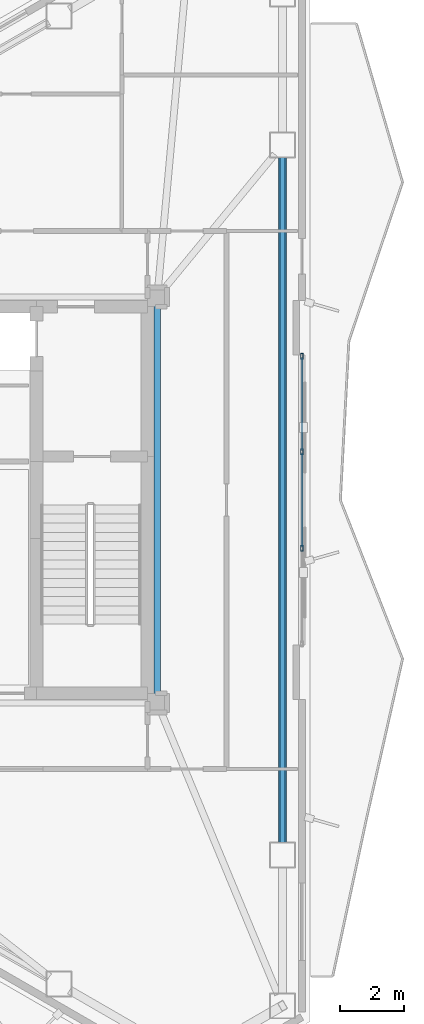
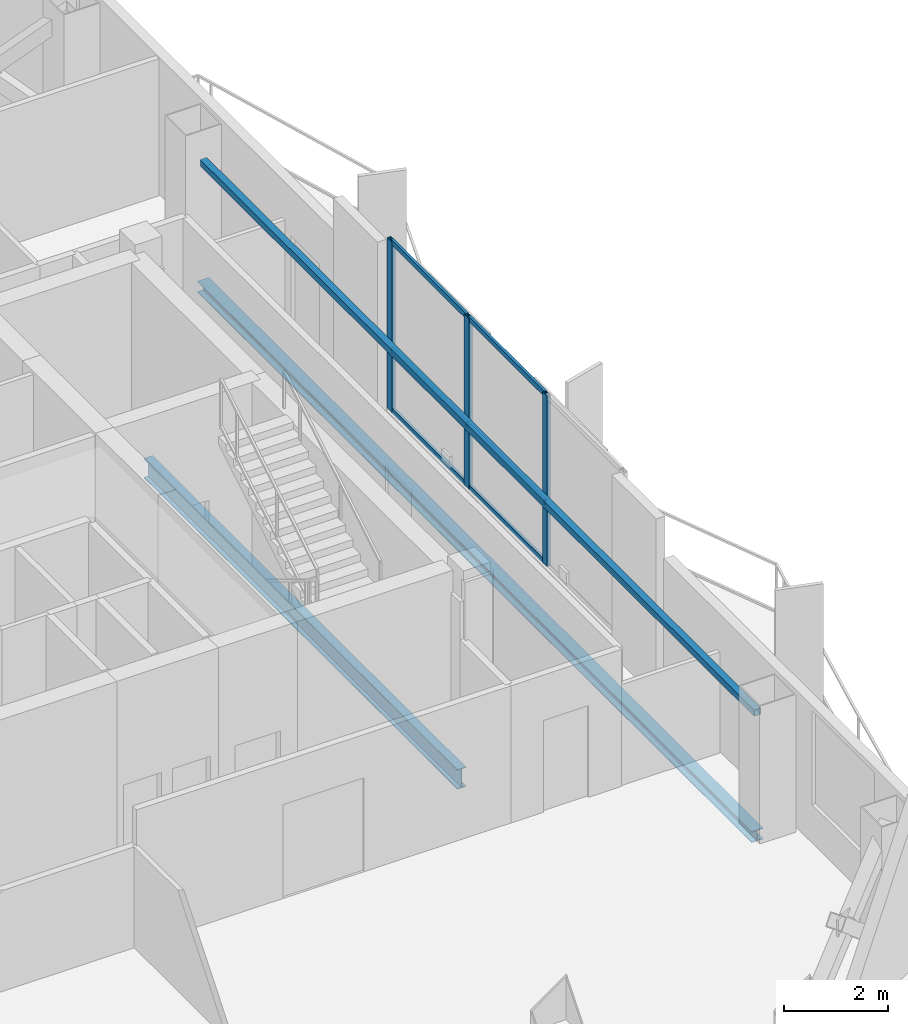
# One storey, part 8 of 15: 9 members, 3 beams, 1 element without a shape of its own.
"""IFC4 building model written with IfcOpenShell, lengths in metres."""

from ifc_helpers import new_model, si_unit, direction, frame, origin, origin_2d, place, context, subcontext, project, spatial, hollow_rectangle, i_section, extrude, material, layer, layer_set, material_profile, profile_set, type_object, element, aggregate, save


model = new_model("IFC4")

# Units and contexts
model_context = context("Model", 3, precision=1e-05, world=origin(), true_north=direction((0.0, 1.0)))
body_context = subcontext(model_context, "Body", "Model", "MODEL_VIEW")
ifc_project = project(units=[si_unit("LENGTHUNIT", "METRE"), si_unit("AREAUNIT", "SQUARE_METRE"), si_unit("VOLUMEUNIT", "CUBIC_METRE"), si_unit("PLANEANGLEUNIT", "RADIAN"), si_unit("MASSUNIT", "GRAM", prefix="KILO")], contexts=[model_context])

# Site, building, storey
site_placement = place(None, origin())
site = spatial("IfcSite", under=ifc_project, at=site_placement, CompositionType="ELEMENT")
building_placement = place(site_placement, origin())
building = spatial("IfcBuilding", under=site, at=building_placement, Name="Mersakhor Tower and Convention Hall", CompositionType="ELEMENT")
storey_placement = place(building_placement, frame((0.0, 0.0, 218.39990234375)))
storey = spatial("IfcBuildingStorey", under=building, at=storey_placement, Name="L61", CompositionType="ELEMENT", Elevation=218.39990234375)

# Beams
ifc_material_1 = material(Name="Steel S355", Category="steel")
ifc_material_profile_1 = material_profile(ifc_material_1, i_section(OverallWidth=0.19140625, OverallDepth=0.4599609375, WebThickness=0.010009765625, FlangeThickness=0.01611328125, at=origin_2d()), Name="UB 457x191x82")
ifc_profile_set_1 = profile_set([ifc_material_profile_1], Name="Steel S355")
beam_type_1 = type_object("IfcBeamType", Name="BM-FB-457", PredefinedType="BEAM", material=ifc_profile_set_1)
beam_1_placement = place(storey_placement, frame((36.10009765625, 32.77001953125, -0.510009765625), z_axis=(0.0, -1.0, 0.0), x_axis=(1.0, 0.0, 0.0)))
element("IfcBeam", 1, at=beam_1_placement, inside=storey, type_object=beam_type_1, Name="L61 Core Ring Tie Beam CRB-3", PredefinedType="BEAM", context=body_context, shape_type="SweptSolid", body=[
    extrude(i_section(OverallWidth=0.19140625, OverallDepth=0.4599609375, WebThickness=0.010009765625, FlangeThickness=0.01611328125, at=origin_2d()), origin(), (0.0, 0.0, 1.0), 12.0400390625),
])
ifc_material_2 = material(Name="Steel S355", Category="steel")
ifc_material_profile_2 = material_profile(ifc_material_2, hollow_rectangle(XDim=0.14990234375, YDim=0.14990234375, WallThickness=0.010009765625, at=origin_2d()), Name="SHS 150x150x10")
ifc_profile_set_2 = profile_set([ifc_material_profile_2], Name="Steel S355")
beam_type_2 = type_object("IfcBeamType", Name="BM-GRT-SHS150", PredefinedType="USERDEFINED", material=ifc_profile_set_2)
beam_2_placement = place(storey_placement, frame((39.98828125, 37.392822265625, 2.47998046875), z_axis=(0.0, -1.0, 0.0), x_axis=(1.0, 0.0, 0.0)))
element("IfcBeam", 2, at=beam_2_placement, inside=storey, type_object=beam_type_2, Name="L61 Facade Support Girt GRT-F2", ObjectType="GIRT", PredefinedType="USERDEFINED", context=body_context, shape_type="SweptSolid", body=[
    extrude(hollow_rectangle(XDim=0.14990234375, YDim=0.14990234375, WallThickness=0.010009765625, at=origin_2d()), origin(), (0.0, 0.0, 1.0), 21.28564453125),
])
ifc_material_3 = material(Name="Steel S355", Category="steel")
ifc_material_profile_3 = material_profile(ifc_material_3, i_section(OverallWidth=0.25634765625, OverallDepth=0.26025390625, WebThickness=0.01025390625, FlangeThickness=0.017333984375, at=origin_2d()), Name="UC 254x254x89")
ifc_profile_set_3 = profile_set([ifc_material_profile_3], Name="Steel S355")
beam_type_3 = type_object("IfcBeamType", Name="BM-SPD-UC254", PredefinedType="SPANDREL", material=ifc_profile_set_3)
beam_3_placement = place(storey_placement, frame((39.98828125, 37.392822265625, -0.409912109375), z_axis=(0.0, -1.0, 0.0), x_axis=(1.0, 0.0, 0.0)))
element("IfcBeam", 3, at=beam_3_placement, inside=storey, type_object=beam_type_3, Name="L61 Perimeter Spandrel Beam SPB-06", PredefinedType="SPANDREL", context=body_context, shape_type="SweptSolid", body=[
    extrude(i_section(OverallWidth=0.25634765625, OverallDepth=0.26025390625, WebThickness=0.01025390625, FlangeThickness=0.017333984375, at=origin_2d()), origin(), (0.0, 0.0, 1.0), 21.28564453125),
])

# Curtain wall, members
ifc_material_4 = material(Name="Dark solar low-E aluminium curtain wall", Category="aluminium")
ifc_layer = layer(ifc_material_4, 0.199951171875)
ifc_layer_set = layer_set([ifc_layer], Name="Dark solar low-E aluminium curtain wall")
curtain_wall_type = type_object("IfcCurtainWallType", Name="CW-SYS-05", PredefinedType="USERDEFINED", material=ifc_layer_set)
curtain_wall_placement = place(storey_placement, origin())
curtain_wall = element("IfcCurtainWall", 4, at=curtain_wall_placement, inside=storey, type_object=curtain_wall_type, Name="L61 Dark-Glass Curtain Wall F2-B2", ObjectType="CURTAIN WALL", PredefinedType="USERDEFINED")
ifc_material_5 = material(Name="Anodised aluminium EN AW-6063 T6", Category="aluminium")
ifc_material_profile_4 = material_profile(ifc_material_5, hollow_rectangle(XDim=0.080078125, YDim=0.179931640625, WallThickness=0.008056640625, at=origin_2d()), Name="RHS 180x80x8")
ifc_profile_set_4 = profile_set([ifc_material_profile_4], Name="Anodised aluminium EN AW-6063 T6")
member_type_1 = type_object("IfcMemberType", Name="CWM-180x80", PredefinedType="MULLION", material=ifc_profile_set_4)
member_1_placement = place(storey_placement, frame((40.58837890625, 31.20947265625, 0.2001953125), z_axis=(0.0, 0.0, 1.0), x_axis=(1.0, 0.0, 0.0)))
member_1 = element("IfcMember", 5, at=member_1_placement, type_object=member_type_1, Name="CW-05 mullion 1", PredefinedType="MULLION", context=body_context, shape_type="SweptSolid", body=[
    extrude(hollow_rectangle(XDim=0.080078125, YDim=0.179931640625, WallThickness=0.008056640625, at=origin_2d()), origin(), (0.0, 0.0, 1.0), 4.0),
])
member_2_placement = place(storey_placement, frame((40.58837890625, 28.249755859375, 0.2001953125), z_axis=(0.0, 0.0, 1.0), x_axis=(1.0, 0.0, 0.0)))
member_2 = element("IfcMember", 6, at=member_2_placement, type_object=member_type_1, Name="CW-05 mullion 2", PredefinedType="MULLION", context=body_context, shape_type="SweptSolid", body=[
    extrude(hollow_rectangle(XDim=0.080078125, YDim=0.179931640625, WallThickness=0.008056640625, at=origin_2d()), origin(), (0.0, 0.0, 1.0), 4.0),
])
member_3_placement = place(storey_placement, frame((40.58837890625, 25.250244140625, 0.2001953125), z_axis=(0.0, 0.0, 1.0), x_axis=(1.0, 0.0, 0.0)))
member_3 = element("IfcMember", 7, at=member_3_placement, type_object=member_type_1, Name="CW-05 mullion 3", PredefinedType="MULLION", context=body_context, shape_type="SweptSolid", body=[
    extrude(hollow_rectangle(XDim=0.080078125, YDim=0.179931640625, WallThickness=0.008056640625, at=origin_2d()), origin(), (0.0, 0.0, 1.0), 4.0),
])
ifc_material_6 = material(Name="Anodised aluminium EN AW-6063 T6", Category="aluminium")
ifc_material_profile_5 = material_profile(ifc_material_6, hollow_rectangle(XDim=0.06005859375, YDim=0.1201171875, WallThickness=0.0048828125, at=origin_2d()), Name="RHS 120x60x5")
ifc_profile_set_5 = profile_set([ifc_material_profile_5], Name="Anodised aluminium EN AW-6063 T6")
member_type_2 = type_object("IfcMemberType", Name="CWT-120x60", PredefinedType="USERDEFINED", material=ifc_profile_set_5)
member_4_placement = place(storey_placement, frame((40.58837890625, 31.16943359375, 0.22998046875), z_axis=(0.0, -1.0, 0.0), x_axis=(1.0, 0.0, 0.0)))
member_4 = element("IfcMember", 8, at=member_4_placement, type_object=member_type_2, Name="CW-05 transom 1.1", ObjectType="TRANSOM", PredefinedType="USERDEFINED", context=body_context, shape_type="SweptSolid", body=[
    extrude(hollow_rectangle(XDim=0.06005859375, YDim=0.1201171875, WallThickness=0.0048828125, at=origin_2d()), origin(), (0.0, 0.0, 1.0), 2.879638671875),
])
member_5_placement = place(storey_placement, frame((40.58837890625, 31.16943359375, 1.6201171875), z_axis=(0.0, -1.0, 0.0), x_axis=(1.0, 0.0, 0.0)))
member_5 = element("IfcMember", 9, at=member_5_placement, type_object=member_type_2, Name="CW-05 transom 1.2", ObjectType="TRANSOM", PredefinedType="USERDEFINED", context=body_context, shape_type="SweptSolid", body=[
    extrude(hollow_rectangle(XDim=0.06005859375, YDim=0.1201171875, WallThickness=0.0048828125, at=origin_2d()), origin(), (0.0, 0.0, 1.0), 2.879638671875),
])
member_6_placement = place(storey_placement, frame((40.58837890625, 31.16943359375, 4.170166015625), z_axis=(0.0, -1.0, 0.0), x_axis=(1.0, 0.0, 0.0)))
member_6 = element("IfcMember", 10, at=member_6_placement, type_object=member_type_2, Name="CW-05 transom 1.3", ObjectType="TRANSOM", PredefinedType="USERDEFINED", context=body_context, shape_type="SweptSolid", body=[
    extrude(hollow_rectangle(XDim=0.06005859375, YDim=0.1201171875, WallThickness=0.0048828125, at=origin_2d()), origin(), (0.0, 0.0, 1.0), 2.879638671875),
])
member_7_placement = place(storey_placement, frame((40.58837890625, 28.209716796875, 0.22998046875), z_axis=(0.0, -1.0, 0.0), x_axis=(1.0, 0.0, 0.0)))
member_7 = element("IfcMember", 11, at=member_7_placement, type_object=member_type_2, Name="CW-05 transom 2.1", ObjectType="TRANSOM", PredefinedType="USERDEFINED", context=body_context, shape_type="SweptSolid", body=[
    extrude(hollow_rectangle(XDim=0.06005859375, YDim=0.1201171875, WallThickness=0.0048828125, at=origin_2d()), origin(), (0.0, 0.0, 1.0), 2.91943359375),
])
member_8_placement = place(storey_placement, frame((40.58837890625, 28.209716796875, 1.6201171875), z_axis=(0.0, -1.0, 0.0), x_axis=(1.0, 0.0, 0.0)))
member_8 = element("IfcMember", 12, at=member_8_placement, type_object=member_type_2, Name="CW-05 transom 2.2", ObjectType="TRANSOM", PredefinedType="USERDEFINED", context=body_context, shape_type="SweptSolid", body=[
    extrude(hollow_rectangle(XDim=0.06005859375, YDim=0.1201171875, WallThickness=0.0048828125, at=origin_2d()), origin(), (0.0, 0.0, 1.0), 2.91943359375),
])
member_9_placement = place(storey_placement, frame((40.58837890625, 28.209716796875, 4.170166015625), z_axis=(0.0, -1.0, 0.0), x_axis=(1.0, 0.0, 0.0)))
member_9 = element("IfcMember", 13, at=member_9_placement, type_object=member_type_2, Name="CW-05 transom 2.3", ObjectType="TRANSOM", PredefinedType="USERDEFINED", context=body_context, shape_type="SweptSolid", body=[
    extrude(hollow_rectangle(XDim=0.06005859375, YDim=0.1201171875, WallThickness=0.0048828125, at=origin_2d()), origin(), (0.0, 0.0, 1.0), 2.91943359375),
])
aggregate(curtain_wall, [member_1, member_2, member_3, member_4, member_5, member_6, member_7, member_8, member_9])

save(model, "model.ifc")
